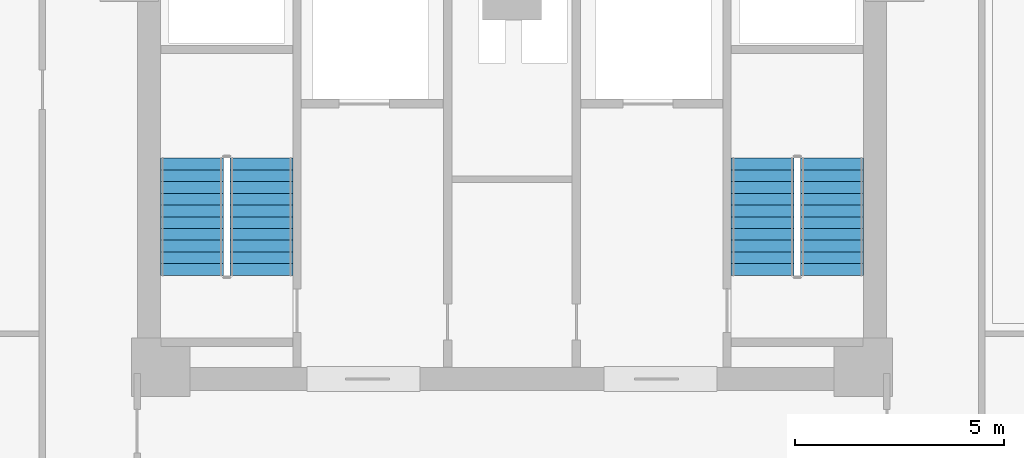
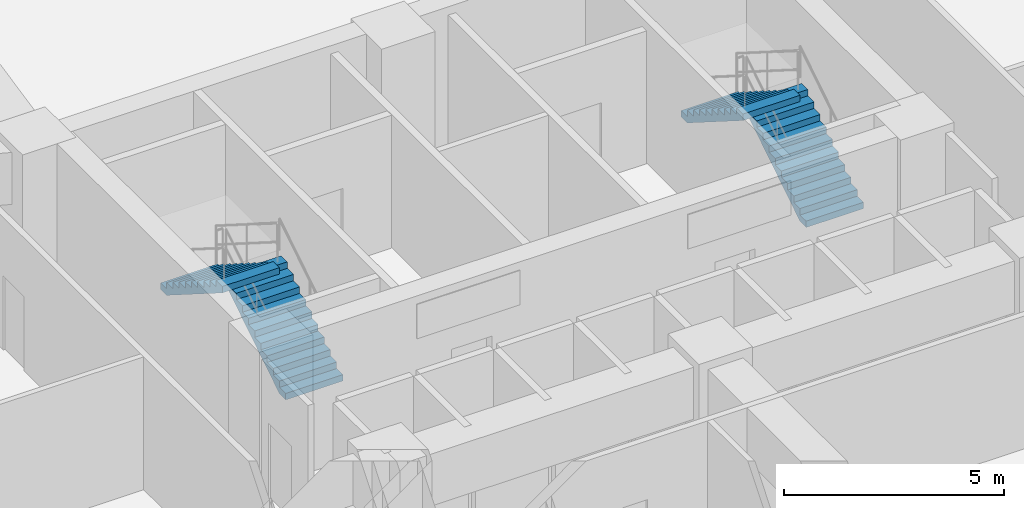
# One storey, part 17 of 20: 4 stair flights, 2 elements without a shape of their own.
"""IFC4 building model written with IfcOpenShell, lengths in metres."""

from ifc_helpers import new_model, si_unit, derived_unit, direction, frame, origin, place, context, subcontext, project, spatial, polyline, outline, extrude, material, type_object, element, aggregate, save


model = new_model("IFC4")

# Units and contexts
model_context = context("Model", 3, precision=1e-05, world=origin(), true_north=direction((0.0, 1.0)))
body_context = subcontext(model_context, "Body", "Model", "MODEL_VIEW")
ifc_project = project(units=[si_unit("LENGTHUNIT", "METRE"), si_unit("AREAUNIT", "SQUARE_METRE"), si_unit("VOLUMEUNIT", "CUBIC_METRE"), si_unit("PLANEANGLEUNIT", "RADIAN"), si_unit("MASSUNIT", "GRAM", prefix="KILO"), derived_unit("THERMALTRANSMITTANCEUNIT", [(si_unit("POWERUNIT", "WATT"), 1), (si_unit("LENGTHUNIT", "METRE"), -2), (si_unit("THERMODYNAMICTEMPERATUREUNIT", "KELVIN"), -1)])], contexts=[model_context])

# Site, building, storey
site_placement = place(None, origin())
site = spatial("IfcSite", under=ifc_project, at=site_placement, CompositionType="ELEMENT")
building_placement = place(site_placement, origin())
building = spatial("IfcBuilding", under=site, at=building_placement, Name="Korsvarv Bourse and Concert Hall", CompositionType="ELEMENT")
storey_placement = place(building_placement, frame((0.0, 0.0, 35.699951171875)))
storey = spatial("IfcBuildingStorey", under=building, at=storey_placement, Name="L08", CompositionType="ELEMENT", Elevation=35.699951171875)

# Stair, stair flights
ifc_material = material(Name="Precast concrete C45/55", Category="concrete")
stair_type = type_object("IfcStairType", Name="STR-TYPE-03", PredefinedType="HALF_TURN_STAIR", material=ifc_material)
stair_1_placement = place(storey_placement, origin())
stair_1 = element("IfcStair", 1, at=stair_1_placement, inside=storey, type_object=stair_type, Name="L08 Tower West Exit Stair ST-T1", PredefinedType="HALF_TURN_STAIR")
stair_flight_type = type_object("IfcStairFlightType", Name="FLT-TYPE-03", PredefinedType="STRAIGHT", material=ifc_material)
stair_flight_1_placement = place(storey_placement, frame((30.010009765625, 40.0, 0.0), z_axis=(0.0, 0.0, 1.0), x_axis=(0.0, 1.0, 0.0)))
stair_flight_1 = element("IfcStairFlight", 2, at=stair_flight_1_placement, type_object=stair_flight_type, Name="ST-T1 flight 1", NumberOfRisers=11, NumberOfTreads=10, PredefinedType="STRAIGHT", RiserHeight=0.177272727, TreadLength=0.28, context=body_context, shape_type="SweptSolid", body=[
    extrude(outline(polyline([(0.0, 0.0), (0.0, 0.17724609375), (0.280029296875, 0.17724609375), (0.280029296875, 0.3544921875), (0.56005859375, 0.3544921875), (0.56005859375, 0.53173828125), (0.840087890625, 0.53173828125), (0.840087890625, 0.708984375), (1.1201171875, 0.708984375), (1.1201171875, 0.886474609375), (1.39990234375, 0.886474609375), (1.39990234375, 1.063720703125), (1.679931640625, 1.063720703125), (1.679931640625, 1.240966796875), (1.9599609375, 1.240966796875), (1.9599609375, 1.418212890625), (2.239990234375, 1.418212890625), (2.239990234375, 1.595458984375), (2.52001953125, 1.595458984375), (2.52001953125, 1.772705078125), (2.800048828125, 1.772705078125), (2.800048828125, 1.949951171875), (2.800048828125, 1.59521484375), (0.2802734375, 0.0), (0.0, 0.0)])), frame((0.0, 0.75, 0.0), z_axis=(0.0, -1.0, 0.0), x_axis=(1.0, 0.0, 0.0)), (0.0, 0.0, 1.0), 1.5),
])
stair_flight_2_placement = place(storey_placement, frame((28.35009765625, 42.800048828125, 1.949951171875), z_axis=(0.0, 0.0, 1.0), x_axis=(0.0, -1.0, 0.0)))
stair_flight_2 = element("IfcStairFlight", 3, at=stair_flight_2_placement, type_object=stair_flight_type, Name="ST-T1 flight 2", NumberOfRisers=11, NumberOfTreads=10, PredefinedType="STRAIGHT", RiserHeight=0.177272727, TreadLength=0.28, context=body_context, shape_type="SweptSolid", body=[
    extrude(outline(polyline([(0.0, 0.0), (0.0, 0.17724609375), (0.280029296875, 0.17724609375), (0.280029296875, 0.3544921875), (0.56005859375, 0.3544921875), (0.56005859375, 0.53173828125), (0.840087890625, 0.53173828125), (0.840087890625, 0.708984375), (1.1201171875, 0.708984375), (1.1201171875, 0.886474609375), (1.39990234375, 0.886474609375), (1.39990234375, 1.063720703125), (1.679931640625, 1.063720703125), (1.679931640625, 1.240966796875), (1.9599609375, 1.240966796875), (1.9599609375, 1.418212890625), (2.239990234375, 1.418212890625), (2.239990234375, 1.595458984375), (2.52001953125, 1.595458984375), (2.52001953125, 1.772705078125), (2.800048828125, 1.772705078125), (2.800048828125, 1.949951171875), (2.800048828125, 1.59521484375), (0.2802734375, 0.0), (0.0, 0.0)])), frame((0.0, 0.75, 0.0), z_axis=(0.0, -1.0, 0.0), x_axis=(1.0, 0.0, 0.0)), (0.0, 0.0, 1.0), 1.5),
])
aggregate(stair_1, [stair_flight_1, stair_flight_2])

stair_2_placement = place(storey_placement, origin())
stair_2 = element("IfcStair", 4, at=stair_2_placement, inside=storey, type_object=stair_type, Name="L08 Tower East Exit Stair ST-T2", PredefinedType="HALF_TURN_STAIR")
stair_flight_3_placement = place(storey_placement, frame((43.64990234375, 40.0, 0.0), z_axis=(0.0, 0.0, 1.0), x_axis=(0.0, 1.0, 0.0)))
stair_flight_3 = element("IfcStairFlight", 5, at=stair_flight_3_placement, type_object=stair_flight_type, Name="ST-T2 flight 1", NumberOfRisers=11, NumberOfTreads=10, PredefinedType="STRAIGHT", RiserHeight=0.177272727, TreadLength=0.28, context=body_context, shape_type="SweptSolid", body=[
    extrude(outline(polyline([(0.0, 0.0), (0.0, 0.17724609375), (0.280029296875, 0.17724609375), (0.280029296875, 0.3544921875), (0.56005859375, 0.3544921875), (0.56005859375, 0.53173828125), (0.840087890625, 0.53173828125), (0.840087890625, 0.708984375), (1.1201171875, 0.708984375), (1.1201171875, 0.886474609375), (1.39990234375, 0.886474609375), (1.39990234375, 1.063720703125), (1.679931640625, 1.063720703125), (1.679931640625, 1.240966796875), (1.9599609375, 1.240966796875), (1.9599609375, 1.418212890625), (2.239990234375, 1.418212890625), (2.239990234375, 1.595458984375), (2.52001953125, 1.595458984375), (2.52001953125, 1.772705078125), (2.800048828125, 1.772705078125), (2.800048828125, 1.949951171875), (2.800048828125, 1.59521484375), (0.2802734375, 0.0), (0.0, 0.0)])), frame((0.0, 0.75, 0.0), z_axis=(0.0, -1.0, 0.0), x_axis=(1.0, 0.0, 0.0)), (0.0, 0.0, 1.0), 1.5),
])
stair_flight_4_placement = place(storey_placement, frame((41.989990234375, 42.800048828125, 1.949951171875), z_axis=(0.0, 0.0, 1.0), x_axis=(0.0, -1.0, 0.0)))
stair_flight_4 = element("IfcStairFlight", 6, at=stair_flight_4_placement, type_object=stair_flight_type, Name="ST-T2 flight 2", NumberOfRisers=11, NumberOfTreads=10, PredefinedType="STRAIGHT", RiserHeight=0.177272727, TreadLength=0.28, context=body_context, shape_type="SweptSolid", body=[
    extrude(outline(polyline([(0.0, 0.0), (0.0, 0.17724609375), (0.280029296875, 0.17724609375), (0.280029296875, 0.3544921875), (0.56005859375, 0.3544921875), (0.56005859375, 0.53173828125), (0.840087890625, 0.53173828125), (0.840087890625, 0.708984375), (1.1201171875, 0.708984375), (1.1201171875, 0.886474609375), (1.39990234375, 0.886474609375), (1.39990234375, 1.063720703125), (1.679931640625, 1.063720703125), (1.679931640625, 1.240966796875), (1.9599609375, 1.240966796875), (1.9599609375, 1.418212890625), (2.239990234375, 1.418212890625), (2.239990234375, 1.595458984375), (2.52001953125, 1.595458984375), (2.52001953125, 1.772705078125), (2.800048828125, 1.772705078125), (2.800048828125, 1.949951171875), (2.800048828125, 1.59521484375), (0.2802734375, 0.0), (0.0, 0.0)])), frame((0.0, 0.75, 0.0), z_axis=(0.0, -1.0, 0.0), x_axis=(1.0, 0.0, 0.0)), (0.0, 0.0, 1.0), 1.5),
])
aggregate(stair_2, [stair_flight_3, stair_flight_4])

save(model, "model.ifc")
